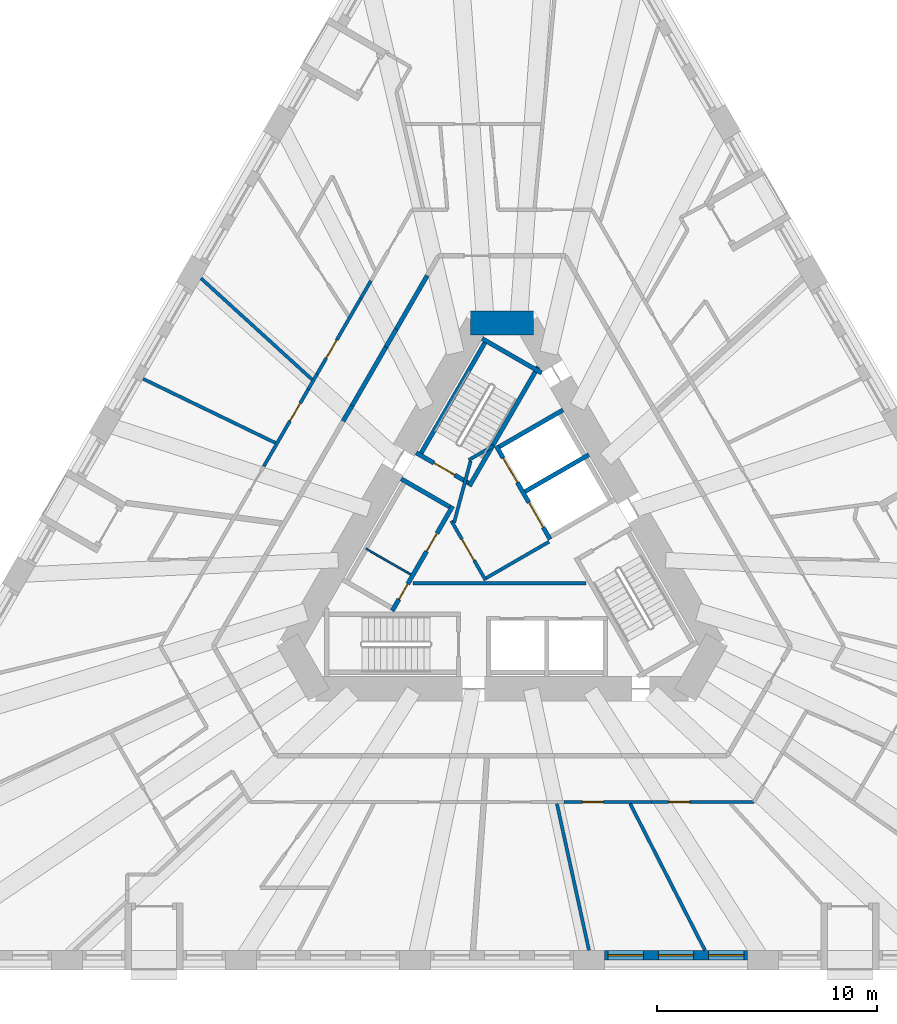
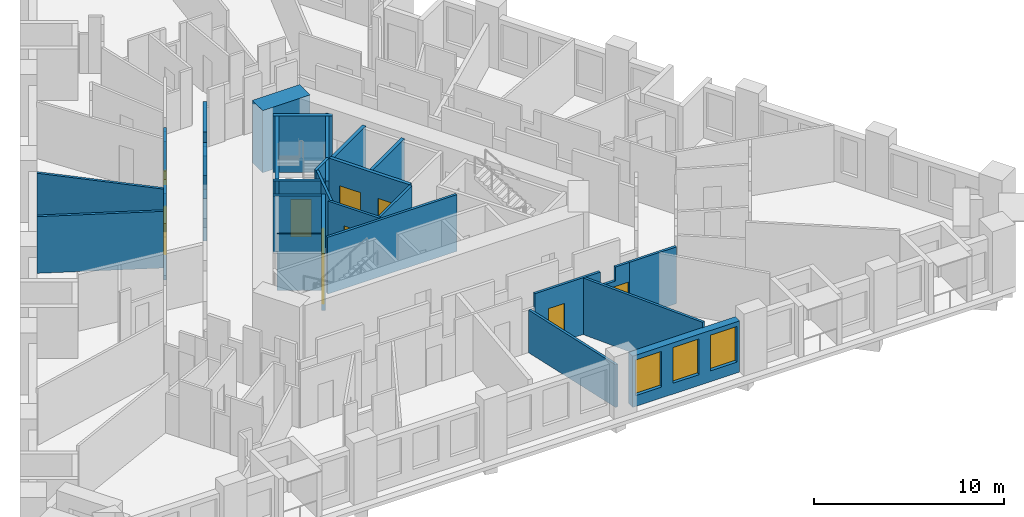
# One storey, part 5 of 14: 32 walls, 10 doors, 3 windows, 13 openings.
"""IFC4 building model written with IfcOpenShell, lengths in metres."""

from ifc_helpers import new_model, si_unit, direction, frame, frame_2d, origin, place, context, subcontext, project, spatial, polyline, rectangle, outline, extrude, material, layer, layer_set, type_object, element, fill, save


model = new_model("IFC4")

# Units and contexts
model_context = context("Model", 3, precision=1e-05, world=origin(), true_north=direction((0.0, 1.0)))
body_context = subcontext(model_context, "Body", "Model", "MODEL_VIEW")
ifc_project = project(units=[si_unit("LENGTHUNIT", "METRE"), si_unit("AREAUNIT", "SQUARE_METRE"), si_unit("VOLUMEUNIT", "CUBIC_METRE"), si_unit("PLANEANGLEUNIT", "RADIAN"), si_unit("MASSUNIT", "GRAM", prefix="KILO")], contexts=[model_context])

# Site, building, storey
site_placement = place(None, origin())
site = spatial("IfcSite", under=ifc_project, at=site_placement, CompositionType="ELEMENT")
building_placement = place(site_placement, origin())
building = spatial("IfcBuilding", under=site, at=building_placement, Name="Tramontana Tower", CompositionType="ELEMENT")
storey_placement = place(building_placement, frame((0.0, 0.0, 30.0)))
storey = spatial("IfcBuildingStorey", under=building, at=storey_placement, Name="L05", CompositionType="ELEMENT", Elevation=30.0)

# Walls
ifc_material_1 = material(Name="Concrete 70 MPa", Category="concrete")
ifc_layer_1 = layer(ifc_material_1, 1.10009765625)
ifc_layer_set_1 = layer_set([ifc_layer_1], Name="Core wall 1100 70 MPa")
wall_type_1 = type_object("IfcWallType", Name="Core wall 1100 70 MPa", PredefinedType="SHEAR", material=ifc_layer_set_1)
wall_1_placement = place(storey_placement, frame((1.443359375, 10.449951171875, 0.0), z_axis=(0.0, 0.0, 1.0), x_axis=(-1.0, 0.0, 0.0)))
element("IfcWall", 1, at=wall_1_placement, inside=storey, type_object=wall_type_1, Name="Core wall C0 L05", PredefinedType="SHEAR", context=body_context, shape_type="SweptSolid", body=[
    extrude(rectangle(XDim=2.88671875, YDim=1.10009765625, at=frame_2d((1.443359375, 0.0))), origin(), (0.0, 0.0, 1.0), 4.0),
])
ifc_material_2 = material(Name="Blockwork", Category="masonry")
ifc_layer_2 = layer(ifc_material_2, 0.199951171875)
ifc_layer_set_2 = layer_set([ifc_layer_2], Name="ENTRY WALL 200")
wall_type_2 = type_object("IfcWallType", Name="ENTRY WALL 200", PredefinedType="SOLIDWALL", material=ifc_layer_set_2)
wall_2_placement = place(storey_placement, frame((-7.228271484375, 5.98046875, 0.0), z_axis=(0.0, 0.0, 1.0), x_axis=(0.500118501653, 0.865956976012, 0.0)))
element("IfcWall", 2, at=wall_2_placement, inside=storey, type_object=wall_type_2, Name="Wall v01-ew4-6", PredefinedType="SOLIDWALL", context=body_context, shape_type="SweptSolid", body=[
    extrude(rectangle(XDim=0.818115234375, YDim=0.199951171875, at=frame_2d((0.4091796875, 0.0))), origin(), (0.0, 0.0, 1.0), 2.75),
])
wall_3_placement = place(storey_placement, frame((-6.819091796875, 6.68896484375, 0.0), z_axis=(0.0, 0.0, 1.0), x_axis=(0.499952348839, 0.866052913447, 0.0)))
element("IfcWall", 3, at=wall_3_placement, inside=storey, type_object=wall_type_2, Name="Wall v01-ew4-7", PredefinedType="SOLIDWALL", context=body_context, shape_type="SweptSolid", body=[
    extrude(rectangle(XDim=3.064208984375, YDim=0.199951171875, at=frame_2d((1.5322265625, 0.0))), origin(), (0.0, 0.0, 1.0), 3.64990234375),
])
wall_4_placement = place(storey_placement, frame((-5.287109375, 9.3427734375, 0.0), z_axis=(0.0, 0.0, 1.0), x_axis=(0.500174821557, 0.865924446982, 0.0)))
element("IfcWall", 4, at=wall_4_placement, inside=storey, type_object=wall_type_2, Name="Wall v01-ew4-8", PredefinedType="SOLIDWALL", context=body_context, shape_type="SweptSolid", body=[
    extrude(rectangle(XDim=0.949951171875, YDim=0.199951171875, at=frame_2d((0.47509765625, 0.0))), origin(), (0.0, 0.0, 1.0), 2.75),
])
wall_5_placement = place(storey_placement, frame((-4.81201171875, 10.165283203125, 0.0), z_axis=(0.0, 0.0, 1.0), x_axis=(0.500000186108, 0.866025296335, 0.0)))
element("IfcWall", 5, at=wall_5_placement, inside=storey, type_object=wall_type_2, Name="Wall v01-ew4-9", PredefinedType="SOLIDWALL", context=body_context, shape_type="SweptSolid", body=[
    extrude(rectangle(XDim=2.8154296875, YDim=0.199951171875, at=frame_2d((1.40771484375, 0.0))), origin(), (0.0, 0.0, 1.0), 3.64990234375),
])

# Wall, openings, windows
ifc_material_3 = material(Name="Precast concrete 60 MPa", Category="concrete")
ifc_layer_3 = layer(ifc_material_3, 0.449951171875)
ifc_layer_set_3 = layer_set([ifc_layer_3], Name="Precast concrete 60 MPa, 450 mm")
wall_type_3 = type_object("IfcWallType", Name="EW1 Stone-faced precast wall 450", PredefinedType="SOLIDWALL", material=ifc_layer_set_3)
wall_6_placement = place(storey_placement, frame((4.658935546875, -18.324951171875, 0.0), z_axis=(0.0, 0.0, 1.0), x_axis=(1.0, 0.0, 0.0)))
wall_6 = element("IfcWall", 6, at=wall_6_placement, inside=storey, type_object=wall_type_3, Name="External wall L05 face 1 bay 5", PredefinedType="SOLIDWALL", context=body_context, shape_type="SweptSolid", body=[
    extrude(rectangle(XDim=6.51806640625, YDim=0.449951171875, at=frame_2d((3.259033203125, 0.0))), origin(), (0.0, 0.0, 1.0), 3.300048828125),
])
opening_1_placement = place(wall_6_placement, frame((0.169677734375, 0.0, 0.699951171875)))
opening_1 = element("IfcOpeningElement", 7, at=opening_1_placement, cuts=wall_6, Name="Opening M1", PredefinedType="OPENING", context=body_context, shape_type="SweptSolid", body=[
    extrude(rectangle(XDim=1.60009765625, YDim=2.300048828125, at=frame_2d((0.800048828125, 1.14990234375))), frame((0.0, 0.23486328125, 0.0), z_axis=(0.0, -1.0, 0.0), x_axis=(1.0, 0.0, 0.0)), (0.0, 0.0, 1.0), 0.469970703125),
])
opening_2_placement = place(wall_6_placement, frame((2.458984375, 0.0, 0.699951171875)))
opening_2 = element("IfcOpeningElement", 8, at=opening_2_placement, cuts=wall_6, Name="Opening M1", PredefinedType="OPENING", context=body_context, shape_type="SweptSolid", body=[
    extrude(rectangle(XDim=1.60009765625, YDim=2.300048828125, at=frame_2d((0.800048828125, 1.14990234375))), frame((0.0, 0.23486328125, 0.0), z_axis=(0.0, -1.0, 0.0), x_axis=(1.0, 0.0, 0.0)), (0.0, 0.0, 1.0), 0.469970703125),
])
opening_3_placement = place(wall_6_placement, frame((4.748291015625, 0.0, 0.699951171875)))
opening_3 = element("IfcOpeningElement", 9, at=opening_3_placement, cuts=wall_6, Name="Opening M1", PredefinedType="OPENING", context=body_context, shape_type="SweptSolid", body=[
    extrude(rectangle(XDim=1.60009765625, YDim=2.300048828125, at=frame_2d((0.800048828125, 1.14990234375))), frame((0.0, 0.23486328125, 0.0), z_axis=(0.0, -1.0, 0.0), x_axis=(1.0, 0.0, 0.0)), (0.0, 0.0, 1.0), 0.469970703125),
])
ifc_material_4 = material(Name="Aluminum frame, double glazing unit", Category="aluminium")
window_type = type_object("IfcWindowType", Name="M1 Window 1.6 x 2.3", PartitioningType="SINGLE_PANEL", PredefinedType="WINDOW", material=ifc_material_4)
window_1_placement = place(opening_1_placement, origin())
window_1 = element("IfcWindow", 10, at=window_1_placement, inside=storey, type_object=window_type, Name="Window M1 L05 face 1 module 13", OverallHeight=2.300048828125, OverallWidth=1.60009765625, PartitioningType="SINGLE_PANEL", PredefinedType="WINDOW", context=body_context, shape_type="SweptSolid", body=[
    extrude(rectangle(XDim=1.60009765625, YDim=2.300048828125, at=frame_2d((0.800048828125, 1.14990234375))), frame((0.0, 0.030029296875, 0.0), z_axis=(0.0, -1.0, 0.0), x_axis=(1.0, 0.0, 0.0)), (0.0, 0.0, 1.0), 0.06005859375),
])
fill(opening_1, window_1)
window_2_placement = place(opening_2_placement, origin())
window_2 = element("IfcWindow", 11, at=window_2_placement, inside=storey, type_object=window_type, Name="Window M1 L05 face 1 module 14", OverallHeight=2.300048828125, OverallWidth=1.60009765625, PartitioningType="SINGLE_PANEL", PredefinedType="WINDOW", context=body_context, shape_type="SweptSolid", body=[
    extrude(rectangle(XDim=1.60009765625, YDim=2.300048828125, at=frame_2d((0.800048828125, 1.14990234375))), frame((0.0, 0.030029296875, 0.0), z_axis=(0.0, -1.0, 0.0), x_axis=(1.0, 0.0, 0.0)), (0.0, 0.0, 1.0), 0.06005859375),
])
fill(opening_2, window_2)
window_3_placement = place(opening_3_placement, origin())
window_3 = element("IfcWindow", 12, at=window_3_placement, inside=storey, type_object=window_type, Name="Window M1 L05 face 1 module 15", OverallHeight=2.300048828125, OverallWidth=1.60009765625, PartitioningType="SINGLE_PANEL", PredefinedType="WINDOW", context=body_context, shape_type="SweptSolid", body=[
    extrude(rectangle(XDim=1.60009765625, YDim=2.300048828125, at=frame_2d((0.800048828125, 1.14990234375))), frame((0.0, 0.030029296875, 0.0), z_axis=(0.0, -1.0, 0.0), x_axis=(1.0, 0.0, 0.0)), (0.0, 0.0, 1.0), 0.06005859375),
])
fill(opening_3, window_3)

# Wall, opening, door
ifc_material_5 = material(Name="Gypsum board partition")
ifc_layer_4 = layer(ifc_material_5, 0.14990234375)
ifc_layer_set_4 = layer_set([ifc_layer_4], Name="PARTITION 150")
wall_type_4 = type_object("IfcWallType", Name="PARTITION 150", PredefinedType="PARTITIONING", material=ifc_layer_set_4)
wall_7_placement = place(storey_placement, frame((-0.744140625, -1.260986328125, 0.0), z_axis=(0.0, 0.0, 1.0), x_axis=(-0.500004234368, 0.866022959057, 0.0)))
wall_7 = element("IfcWall", 13, at=wall_7_placement, inside=storey, type_object=wall_type_4, Name="Wall ff-front", PredefinedType="PARTITIONING", context=body_context, shape_type="SweptSolid", body=[
    extrude(rectangle(XDim=3.125, YDim=0.14990234375, at=frame_2d((1.5625, 0.0))), origin(), (0.0, 0.0, 1.0), 3.64990234375),
])
opening_4_placement = place(wall_7_placement, frame((1.050048828125, 0.0, 0.0)))
opening_4 = element("IfcOpeningElement", 14, at=opening_4_placement, cuts=wall_7, Name="Opening FD1", PredefinedType="OPENING", context=body_context, shape_type="SweptSolid", body=[
    extrude(rectangle(XDim=1.10009765625, YDim=2.39990234375, at=frame_2d((0.550048828125, 1.199951171875))), frame((0.0, 0.0849609375, 0.0), z_axis=(0.0, -1.0, 0.0), x_axis=(1.0, 0.0, 0.0)), (0.0, 0.0, 1.0), 0.169921875),
])
ifc_material_6 = material(Name="Painted timber", Category="wood")
door_type_1 = type_object("IfcDoorType", Name="DOOR ENTRY 1100", OperationType="SINGLE_SWING_LEFT", PredefinedType="DOOR", material=ifc_material_6)
door_1_placement = place(opening_4_placement, origin())
door_1 = element("IfcDoor", 15, at=door_1_placement, inside=storey, type_object=door_type_1, Name="Door FD1", OperationType="SINGLE_SWING_LEFT", OverallHeight=2.39990234375, OverallWidth=1.10009765625, PredefinedType="DOOR", context=body_context, shape_type="SweptSolid", body=[
    extrude(rectangle(XDim=1.10009765625, YDim=2.39990234375, at=frame_2d((0.550048828125, 1.199951171875))), frame((0.0, 0.02490234375, 0.0), z_axis=(0.0, -1.0, 0.0), x_axis=(1.0, 0.0, 0.0)), (0.0, 0.0, 1.0), 0.050048828125),
])
fill(opening_4, door_1)

# Walls
wall_8_placement = place(storey_placement, frame((-0.716796875, -1.15869140625, 0.0), z_axis=(0.0, 0.0, 1.0), x_axis=(0.866008176907, 0.50002983664, 0.0)))
element("IfcWall", 16, at=wall_8_placement, inside=storey, type_object=wall_type_4, Name="Wall ff-end0", PredefinedType="PARTITIONING", context=body_context, shape_type="SweptSolid", body=[
    extrude(rectangle(XDim=3.300048828125, YDim=0.14990234375, at=frame_2d((1.64990234375, 0.0))), origin(), (0.0, 0.0, 1.0), 3.64990234375),
])
wall_9_placement = place(storey_placement, frame((-2.177978515625, 1.372314453125, 0.0), z_axis=(0.0, 0.0, 1.0), x_axis=(0.258808958833, 0.96592852884, 0.0)))
element("IfcWall", 17, at=wall_9_placement, inside=storey, type_object=wall_type_4, Name="Wall ff-diag", PredefinedType="PARTITIONING", context=body_context, shape_type="SweptSolid", body=[
    extrude(rectangle(XDim=2.902587890625, YDim=0.14990234375, at=frame_2d((1.451171875, 0.0))), origin(), (0.0, 0.0, 1.0), 3.64990234375),
])
wall_10_placement = place(storey_placement, frame((-1.509765625, 4.21484375, 0.0), z_axis=(0.0, 0.0, 1.0), x_axis=(0.866085525409, 0.49989585183, 0.0)))
element("IfcWall", 18, at=wall_10_placement, inside=storey, type_object=wall_type_4, Name="Wall ff-end1", PredefinedType="PARTITIONING", context=body_context, shape_type="SweptSolid", body=[
    extrude(rectangle(XDim=1.300048828125, YDim=0.14990234375, at=frame_2d((0.64990234375, 0.0))), origin(), (0.0, 0.0, 1.0), 3.64990234375),
])
wall_11_placement = place(storey_placement, frame((-4.053466796875, -1.39990234375, 0.0), z_axis=(0.0, 0.0, 1.0), x_axis=(1.0, 0.0, 0.0)))
element("IfcWall", 19, at=wall_11_placement, inside=storey, type_object=wall_type_4, Name="Wall hub-cut1", PredefinedType="PARTITIONING", context=body_context, shape_type="SweptSolid", body=[
    extrude(rectangle(XDim=7.8759765625, YDim=0.14990234375, at=frame_2d((3.93798828125, 0.0))), origin(), (0.0, 0.0, 1.0), 3.64990234375),
])

# Wall, opening, door
wall_12_placement = place(storey_placement, frame((-10.842529296875, 3.92041015625, 0.0), z_axis=(0.0, 0.0, 1.0), x_axis=(0.500007556608, 0.866021040931, 0.0)))
wall_12 = element("IfcWall", 20, at=wall_12_placement, inside=storey, type_object=wall_type_4, Name="Wall v01-pw07-4", PredefinedType="PARTITIONING", context=body_context, shape_type="SweptSolid", body=[
    extrude(rectangle(XDim=4.05224609375, YDim=0.14990234375, at=frame_2d((2.026123046875, 0.0))), origin(), (0.0, 0.0, 1.0), 3.64990234375),
])
opening_5_placement = place(wall_12_placement, frame((2.378662109375, 0.0, 0.0)))
opening_5 = element("IfcOpeningElement", 21, at=opening_5_placement, cuts=wall_12, Name="Opening B0B-09", PredefinedType="OPENING", context=body_context, shape_type="SweptSolid", body=[
    extrude(rectangle(XDim=0.949951171875, YDim=2.39990234375, at=frame_2d((0.47509765625, 1.199951171875))), frame((0.0, 0.0849609375, 0.0), z_axis=(0.0, -1.0, 0.0), x_axis=(1.0, 0.0, 0.0)), (0.0, 0.0, 1.0), 0.169921875),
])
ifc_material_7 = material(Name="Painted timber", Category="wood")
door_type_2 = type_object("IfcDoorType", Name="DOOR ROOM 950", OperationType="SINGLE_SWING_LEFT", PredefinedType="DOOR", material=ifc_material_7)
door_2_placement = place(opening_5_placement, origin())
door_2 = element("IfcDoor", 22, at=door_2_placement, inside=storey, type_object=door_type_2, Name="Door B0B-09", OperationType="SINGLE_SWING_LEFT", OverallHeight=2.39990234375, OverallWidth=0.949951171875, PredefinedType="DOOR", context=body_context, shape_type="SweptSolid", body=[
    extrude(rectangle(XDim=0.949951171875, YDim=2.39990234375, at=frame_2d((0.47509765625, 1.199951171875))), frame((0.0, 0.02490234375, 0.0), z_axis=(0.0, -1.0, 0.0), x_axis=(1.0, 0.0, 0.0)), (0.0, 0.0, 1.0), 0.050048828125),
])
fill(opening_5, door_2)

# Wall
wall_13_placement = place(storey_placement, frame((-8.81640625, 7.4296875, 0.0), z_axis=(0.0, 0.0, 1.0), x_axis=(0.500015802937, 0.866016279763, 0.0)))
element("IfcWall", 23, at=wall_13_placement, inside=storey, type_object=wall_type_4, Name="Wall v01-pw07-5", PredefinedType="PARTITIONING", context=body_context, shape_type="SweptSolid", body=[
    extrude(rectangle(XDim=0.79248046875, YDim=0.14990234375, at=frame_2d((0.396240234375, 0.0))), origin(), (0.0, 0.0, 1.0), 2.75),
])

# Wall, opening, door
wall_14_placement = place(storey_placement, frame((-8.420166015625, 8.115966796875, 0.0), z_axis=(0.0, 0.0, 1.0), x_axis=(0.500010364181, 0.866019419939, 0.0)))
wall_14 = element("IfcWall", 24, at=wall_14_placement, inside=storey, type_object=wall_type_4, Name="Wall v01-pw07-6", PredefinedType="PARTITIONING", context=body_context, shape_type="SweptSolid", body=[
    extrude(rectangle(XDim=3.98828125, YDim=0.14990234375, at=frame_2d((1.994140625, 0.0))), origin(), (0.0, 0.0, 1.0), 3.64990234375),
])
opening_6_placement = place(wall_14_placement, frame((0.84423828125, 0.0, 0.0)))
opening_6 = element("IfcOpeningElement", 25, at=opening_6_placement, cuts=wall_14, Name="Opening B0B-08", PredefinedType="OPENING", context=body_context, shape_type="SweptSolid", body=[
    extrude(rectangle(XDim=0.949951171875, YDim=2.39990234375, at=frame_2d((0.47509765625, 1.199951171875))), frame((0.0, 0.0849609375, 0.0), z_axis=(0.0, -1.0, 0.0), x_axis=(1.0, 0.0, 0.0)), (0.0, 0.0, 1.0), 0.169921875),
])
door_3_placement = place(opening_6_placement, origin())
door_3 = element("IfcDoor", 26, at=door_3_placement, inside=storey, type_object=door_type_2, Name="Door B0B-08", OperationType="SINGLE_SWING_RIGHT", OverallHeight=2.39990234375, OverallWidth=0.949951171875, PredefinedType="DOOR", context=body_context, shape_type="SweptSolid", body=[
    extrude(rectangle(XDim=0.949951171875, YDim=2.39990234375, at=frame_2d((0.47509765625, 1.199951171875))), frame((0.0, 0.02490234375, 0.0), z_axis=(0.0, -1.0, 0.0), x_axis=(1.0, 0.0, 0.0)), (0.0, 0.0, 1.0), 0.050048828125),
])
fill(opening_6, door_3)

# Walls
wall_15_placement = place(storey_placement, frame((-6.426025390625, 11.56982421875, 0.0), z_axis=(0.0, 0.0, 1.0), x_axis=(0.499990325971, 0.866030989016, 0.0)))
element("IfcWall", 27, at=wall_15_placement, inside=storey, type_object=wall_type_4, Name="Wall v01-pw07-7", PredefinedType="PARTITIONING", context=body_context, shape_type="SweptSolid", body=[
    extrude(rectangle(XDim=0.92041015625, YDim=0.14990234375, at=frame_2d((0.460205078125, 0.0))), origin(), (0.0, 0.0, 1.0), 2.75),
])
wall_16_placement = place(storey_placement, frame((-10.310791015625, 4.9912109375, 0.0), z_axis=(0.0, 0.0, 1.0), x_axis=(-0.900095112933, 0.435693456084, 0.0)))
element("IfcWall", 28, at=wall_16_placement, inside=storey, type_object=wall_type_4, Name="Wall v01-pw15", PredefinedType="PARTITIONING", context=body_context, shape_type="SweptSolid", body=[
    extrude(rectangle(XDim=6.69287109375, YDim=0.14990234375, at=frame_2d((3.346435546875, 0.0))), origin(), (0.0, 0.0, 1.0), 3.64990234375),
])
for number, where, z_axis, x_axis, name in (
    (29, (-8.644775390625, 7.876708984375, 0.0), (0.0, 0.0, 1.0), (-0.739197523156, 0.673488694604, 0.0), "Wall v01-pw18-0"),
    (30, (3.958984375, -18.10009765625, 0.0), (0.0, 0.0, 1.0), (-0.213668107873, 0.976906310594, 0.0), "Wall v01-pw34-0"),
):
    element("IfcWall", number, at=place(storey_placement, frame(where, z_axis=z_axis, x_axis=x_axis)), inside=storey, type_object=wall_type_4, Name=name, PredefinedType="PARTITIONING", context=body_context, shape_type="SweptSolid", body=[
        extrude(rectangle(XDim=6.832763671875, YDim=0.14990234375, at=frame_2d((3.41650390625, 0.0))), origin(), (0.0, 0.0, 1.0), 2.75),
    ])
wall_17_placement = place(storey_placement, frame((9.237548828125, -18.10009765625, 0.0), z_axis=(0.0, 0.0, 1.0), x_axis=(-0.454586921445, 0.890702380625, 0.0)))
element("IfcWall", 31, at=wall_17_placement, inside=storey, type_object=wall_type_4, Name="Wall v01-pw40", PredefinedType="PARTITIONING", context=body_context, shape_type="SweptSolid", body=[
    extrude(rectangle(XDim=7.494140625, YDim=0.14990234375, at=frame_2d((3.7470703125, 0.0))), origin(), (0.0, 0.0, 1.0), 3.64990234375),
])
wall_18_placement = place(storey_placement, frame((11.46044921875, -11.35009765625, 0.0), z_axis=(0.0, 0.0, 1.0), x_axis=(-1.0, 0.0, 0.0)))
element("IfcWall", 32, at=wall_18_placement, inside=storey, type_object=wall_type_4, Name="Wall v01-pw45-0", PredefinedType="PARTITIONING", context=body_context, shape_type="SweptSolid", body=[
    extrude(rectangle(XDim=2.873779296875, YDim=0.14990234375, at=frame_2d((1.43701171875, 0.0))), origin(), (0.0, 0.0, 1.0), 3.64990234375),
])

# Wall, opening, door
wall_19_placement = place(storey_placement, frame((8.586669921875, -11.35009765625, 0.0), z_axis=(0.0, 0.0, 1.0), x_axis=(-1.0, 0.0, 0.0)))
wall_19 = element("IfcWall", 33, at=wall_19_placement, inside=storey, type_object=wall_type_4, Name="Wall v01-pw45-1", PredefinedType="PARTITIONING", context=body_context, shape_type="SweptSolid", body=[
    extrude(outline(polyline([(0.0, 0.0), (1.77978515625, 0.0), (1.77978515625, 2.75), (0.859619140625, 2.75), (0.859619140625, 3.64990234375), (0.0, 3.64990234375), (0.0, 0.0)])), frame((0.0, 0.074951171875, 0.0), z_axis=(0.0, -1.0, 0.0), x_axis=(1.0, 0.0, 0.0)), (0.0, 0.0, 1.0), 0.14990234375),
])
opening_7_placement = place(wall_19_placement, frame((0.050048828125, 0.0, 0.0)))
opening_7 = element("IfcOpeningElement", 34, at=opening_7_placement, cuts=wall_19, Name="Opening B0B-27", PredefinedType="OPENING", context=body_context, shape_type="SweptSolid", body=[
    extrude(rectangle(XDim=0.949951171875, YDim=2.39990234375, at=frame_2d((0.47509765625, 1.199951171875))), frame((0.0, 0.0849609375, 0.0), z_axis=(0.0, -1.0, 0.0), x_axis=(1.0, 0.0, 0.0)), (0.0, 0.0, 1.0), 0.169921875),
])
door_4_placement = place(opening_7_placement, origin())
door_4 = element("IfcDoor", 35, at=door_4_placement, inside=storey, type_object=door_type_2, Name="Door B0B-27", OperationType="SINGLE_SWING_LEFT", OverallHeight=2.39990234375, OverallWidth=0.949951171875, PredefinedType="DOOR", context=body_context, shape_type="SweptSolid", body=[
    extrude(rectangle(XDim=0.949951171875, YDim=2.39990234375, at=frame_2d((0.47509765625, 1.199951171875))), frame((0.0, 0.02490234375, 0.0), z_axis=(0.0, -1.0, 0.0), x_axis=(1.0, 0.0, 0.0)), (0.0, 0.0, 1.0), 0.050048828125),
])
fill(opening_7, door_4)

wall_20_placement = place(storey_placement, frame((6.806884765625, -11.35009765625, 0.0), z_axis=(0.0, 0.0, 1.0), x_axis=(-1.0, 0.0, 0.0)))
wall_20 = element("IfcWall", 36, at=wall_20_placement, inside=storey, type_object=wall_type_4, Name="Wall v01-pw45-2", PredefinedType="PARTITIONING", context=body_context, shape_type="SweptSolid", body=[
    extrude(rectangle(XDim=3.98828125, YDim=0.14990234375, at=frame_2d((1.994140625, 0.0))), origin(), (0.0, 0.0, 1.0), 3.64990234375),
])
opening_8_placement = place(wall_20_placement, frame((2.194091796875, 0.0, 0.0)))
opening_8 = element("IfcOpeningElement", 37, at=opening_8_placement, cuts=wall_20, Name="Opening B0B-28", PredefinedType="OPENING", context=body_context, shape_type="SweptSolid", body=[
    extrude(rectangle(XDim=0.949951171875, YDim=2.39990234375, at=frame_2d((0.47509765625, 1.199951171875))), frame((0.0, 0.0849609375, 0.0), z_axis=(0.0, -1.0, 0.0), x_axis=(1.0, 0.0, 0.0)), (0.0, 0.0, 1.0), 0.169921875),
])
door_5_placement = place(opening_8_placement, origin())
door_5 = element("IfcDoor", 38, at=door_5_placement, inside=storey, type_object=door_type_2, Name="Door B0B-28", OperationType="SINGLE_SWING_RIGHT", OverallHeight=2.39990234375, OverallWidth=0.949951171875, PredefinedType="DOOR", context=body_context, shape_type="SweptSolid", body=[
    extrude(rectangle(XDim=0.949951171875, YDim=2.39990234375, at=frame_2d((0.47509765625, 1.199951171875))), frame((0.0, 0.02490234375, 0.0), z_axis=(0.0, -1.0, 0.0), x_axis=(1.0, 0.0, 0.0)), (0.0, 0.0, 1.0), 0.050048828125),
])
fill(opening_8, door_5)

# Walls
ifc_material_8 = material(Name="Gypsum board partition")
ifc_layer_5 = layer(ifc_material_8, 0.080078125)
ifc_layer_set_5 = layer_set([ifc_layer_5], Name="PARTITION 80")
wall_type_5 = type_object("IfcWallType", Name="PARTITION 80", PredefinedType="PARTITIONING", material=ifc_layer_set_5)
wall_21_placement = place(storey_placement, frame((-4.15478515625, -0.99609375, 0.0), z_axis=(0.0, 0.0, 1.0), x_axis=(-0.866016039709, 0.500016218704, 0.0)))
element("IfcWall", 39, at=wall_21_placement, inside=storey, type_object=wall_type_5, Name="Wall row0-split", PredefinedType="PARTITIONING", context=body_context, shape_type="SweptSolid", body=[
    extrude(rectangle(XDim=2.35009765625, YDim=0.080078125, at=frame_2d((1.175048828125, 0.0))), origin(), (0.0, 0.0, 1.0), 3.64990234375),
])
ifc_material_9 = material(Name="Concrete 70 MPa", Category="concrete")
ifc_layer_6 = layer(ifc_material_9, 0.199951171875)
ifc_layer_set_6 = layer_set([ifc_layer_6], Name="Concrete 70 MPa, 200 mm")
wall_type_6 = type_object("IfcWallType", Name="RC SHAFT BACK WALL 200", PredefinedType="SOLIDWALL", material=ifc_layer_set_6)
wall_22_placement = place(storey_placement, frame((-0.679931640625, 9.722412109375, 0.0), z_axis=(0.0, 0.0, 1.0), x_axis=(-0.49998037582, -0.866036733513, 0.0)))
element("IfcWall", 40, at=wall_22_placement, inside=storey, type_object=wall_type_6, Name="Wall st1-back", PredefinedType="SOLIDWALL", context=body_context, shape_type="SweptSolid", body=[
    extrude(rectangle(XDim=6.199951171875, YDim=0.199951171875, at=frame_2d((3.10009765625, 0.0))), origin(), (0.0, 0.0, 1.0), 3.64990234375),
])
ifc_material_10 = material(Name="Concrete 70 MPa", Category="concrete")
ifc_layer_7 = layer(ifc_material_10, 0.199951171875)
ifc_layer_set_7 = layer_set([ifc_layer_7], Name="Concrete 70 MPa, 200 mm")
wall_type_7 = type_object("IfcWallType", Name="RC STAIR AND SHAFT WALL 200", PredefinedType="SOLIDWALL", material=ifc_layer_set_7)
wall_23_placement = place(storey_placement, frame((1.6455078125, 8.449951171875, 0.0), z_axis=(0.0, 0.0, 1.0), x_axis=(-0.500006002103, -0.866021938441, 0.0)))
element("IfcWall", 41, at=wall_23_placement, inside=storey, type_object=wall_type_7, Name="Wall st1-front", PredefinedType="SOLIDWALL", context=body_context, shape_type="SweptSolid", body=[
    extrude(rectangle(XDim=6.2607421875, YDim=0.199951171875, at=frame_2d((3.13037109375, 0.0))), origin(), (0.0, 0.0, 1.0), 3.64990234375),
])
wall_24_placement = place(storey_placement, frame((1.80615234375, 8.171875, 0.0), z_axis=(0.0, 0.0, 1.0), x_axis=(-0.866054327916, 0.499949898588, 0.0)))
element("IfcWall", 42, at=wall_24_placement, inside=storey, type_object=wall_type_7, Name="Wall st1-far", PredefinedType="SOLIDWALL", context=body_context, shape_type="SweptSolid", body=[
    extrude(rectangle(XDim=3.128173828125, YDim=0.199951171875, at=frame_2d((1.56396484375, 0.0))), origin(), (0.0, 0.0, 1.0), 3.64990234375),
])

# Wall, opening, door
wall_25_placement = place(storey_placement, frame((-1.521484375, 3.164794921875, 0.0), z_axis=(0.0, 0.0, 1.0), x_axis=(-0.866027397988, 0.499996545922, 0.0)))
wall_25 = element("IfcWall", 43, at=wall_25_placement, inside=storey, type_object=wall_type_7, Name="Wall st1-near", PredefinedType="SOLIDWALL", context=body_context, shape_type="SweptSolid", body=[
    extrude(rectangle(XDim=2.75, YDim=0.199951171875, at=frame_2d((1.375, 0.0))), origin(), (0.0, 0.0, 1.0), 3.64990234375),
])
opening_9_placement = place(wall_25_placement, frame((0.72509765625, 0.0, 0.0)))
opening_9 = element("IfcOpeningElement", 44, at=opening_9_placement, cuts=wall_25, Name="Opening SD1", PredefinedType="OPENING", context=body_context, shape_type="SweptSolid", body=[
    extrude(rectangle(XDim=1.10009765625, YDim=2.39990234375, at=frame_2d((0.550048828125, 1.199951171875))), frame((0.0, 0.10986328125, 0.0), z_axis=(0.0, -1.0, 0.0), x_axis=(1.0, 0.0, 0.0)), (0.0, 0.0, 1.0), 0.219970703125),
])
ifc_material_11 = material(Name="Painted steel", Category="steel")
door_type_3 = type_object("IfcDoorType", Name="STAIR DOOR 1100", OperationType="SINGLE_SWING_LEFT", PredefinedType="DOOR", material=ifc_material_11)
door_6_placement = place(opening_9_placement, origin())
door_6 = element("IfcDoor", 45, at=door_6_placement, inside=storey, type_object=door_type_3, Name="Door SD1", OperationType="SINGLE_SWING_RIGHT", OverallHeight=2.39990234375, OverallWidth=1.10009765625, PredefinedType="DOOR", context=body_context, shape_type="SweptSolid", body=[
    extrude(rectangle(XDim=1.10009765625, YDim=2.39990234375, at=frame_2d((0.550048828125, 1.199951171875))), frame((0.0, 0.02490234375, 0.0), z_axis=(0.0, -1.0, 0.0), x_axis=(1.0, 0.0, 0.0)), (0.0, 0.0, 1.0), 0.050048828125),
])
fill(opening_9, door_6)

# Wall, openings, doors
wall_26_placement = place(storey_placement, frame((-4.9931640625, -2.648193359375, 0.0), z_axis=(0.0, 0.0, 1.0), x_axis=(0.499996545922, 0.866027397988, 0.0)))
wall_26 = element("IfcWall", 46, at=wall_26_placement, inside=storey, type_object=wall_type_7, Name="Wall row0-front", PredefinedType="SOLIDWALL", context=body_context, shape_type="SweptSolid", body=[
    extrude(rectangle(XDim=5.5, YDim=0.199951171875, at=frame_2d((2.75, 0.0))), origin(), (0.0, 0.0, 1.0), 3.64990234375),
])
opening_10_placement = place(wall_26_placement, frame((3.1201171875, 0.0, 0.0)))
opening_10 = element("IfcOpeningElement", 47, at=opening_10_placement, cuts=wall_26, Name="Opening RD-0A", PredefinedType="OPENING", context=body_context, shape_type="SweptSolid", body=[
    extrude(rectangle(XDim=0.949951171875, YDim=2.39990234375, at=frame_2d((0.47509765625, 1.199951171875))), frame((0.0, 0.10986328125, 0.0), z_axis=(0.0, -1.0, 0.0), x_axis=(1.0, 0.0, 0.0)), (0.0, 0.0, 1.0), 0.219970703125),
])
opening_11_placement = place(wall_26_placement, frame((0.60498046875, 0.0, 0.0)))
opening_11 = element("IfcOpeningElement", 48, at=opening_11_placement, cuts=wall_26, Name="Opening RD-0B", PredefinedType="OPENING", context=body_context, shape_type="SweptSolid", body=[
    extrude(rectangle(XDim=0.800048828125, YDim=2.10009765625, at=frame_2d((0.39990234375, 1.050048828125))), frame((0.0, 0.10986328125, 0.0), z_axis=(0.0, -1.0, 0.0), x_axis=(1.0, 0.0, 0.0)), (0.0, 0.0, 1.0), 0.219970703125),
])
ifc_material_12 = material(Name="Painted steel", Category="steel")
door_type_4 = type_object("IfcDoorType", Name="CUPBOARD DOOR 800", OperationType="SINGLE_SWING_LEFT", PredefinedType="DOOR", material=ifc_material_12)
door_7_placement = place(opening_11_placement, origin())
door_7 = element("IfcDoor", 49, at=door_7_placement, inside=storey, type_object=door_type_4, Name="Door RD-0B", OperationType="SINGLE_SWING_RIGHT", OverallHeight=2.10009765625, OverallWidth=0.800048828125, PredefinedType="DOOR", context=body_context, shape_type="SweptSolid", body=[
    extrude(rectangle(XDim=0.800048828125, YDim=2.10009765625, at=frame_2d((0.39990234375, 1.050048828125))), frame((0.0, 0.02490234375, 0.0), z_axis=(0.0, -1.0, 0.0), x_axis=(1.0, 0.0, 0.0)), (0.0, 0.0, 1.0), 0.050048828125),
])
fill(opening_11, door_7)
door_8_placement = place(opening_10_placement, origin())
door_8 = element("IfcDoor", 50, at=door_8_placement, inside=storey, type_object=door_type_2, Name="Door RD-0A", OperationType="SINGLE_SWING_LEFT", OverallHeight=2.39990234375, OverallWidth=0.949951171875, PredefinedType="DOOR", context=body_context, shape_type="SweptSolid", body=[
    extrude(rectangle(XDim=0.949951171875, YDim=2.39990234375, at=frame_2d((0.47509765625, 1.199951171875))), frame((0.0, 0.02490234375, 0.0), z_axis=(0.0, -1.0, 0.0), x_axis=(1.0, 0.0, 0.0)), (0.0, 0.0, 1.0), 0.050048828125),
])
fill(opening_10, door_8)

# Wall
wall_27_placement = place(storey_placement, frame((-2.379638671875, 2.078369140625, 0.0), z_axis=(0.0, 0.0, 1.0), x_axis=(-0.866054858364, 0.499948979701, 0.0)))
element("IfcWall", 51, at=wall_27_placement, inside=storey, type_object=wall_type_7, Name="Wall row0-side0", PredefinedType="SOLIDWALL", context=body_context, shape_type="SweptSolid", body=[
    extrude(rectangle(XDim=2.550048828125, YDim=0.199951171875, at=frame_2d((1.27490234375, 0.0))), origin(), (0.0, 0.0, 1.0), 3.64990234375),
])

# Wall, openings, doors
wall_28_placement = place(storey_placement, frame((2.190185546875, 0.6064453125, 0.0), z_axis=(0.0, 0.0, 1.0), x_axis=(-0.500002801628, 0.866023786258, 0.0)))
wall_28 = element("IfcWall", 52, at=wall_28_placement, inside=storey, type_object=wall_type_7, Name="Wall row2-front", PredefinedType="SOLIDWALL", context=body_context, shape_type="SweptSolid", body=[
    extrude(rectangle(XDim=4.89990234375, YDim=0.199951171875, at=frame_2d((2.449951171875, 0.0))), origin(), (0.0, 0.0, 1.0), 3.64990234375),
])
opening_12_placement = place(wall_28_placement, frame((0.625, 0.0, 0.0)))
opening_12 = element("IfcOpeningElement", 53, at=opening_12_placement, cuts=wall_28, Name="Opening LD-F1", PredefinedType="OPENING", context=body_context, shape_type="SweptSolid", body=[
    extrude(rectangle(XDim=1.300048828125, YDim=2.10009765625, at=frame_2d((0.64990234375, 1.050048828125))), frame((0.0, 0.10986328125, 0.0), z_axis=(0.0, -1.0, 0.0), x_axis=(1.0, 0.0, 0.0)), (0.0, 0.0, 1.0), 0.219970703125),
])
opening_13_placement = place(wall_28_placement, frame((2.97509765625, 0.0, 0.0)))
opening_13 = element("IfcOpeningElement", 54, at=opening_13_placement, cuts=wall_28, Name="Opening LD-F2", PredefinedType="OPENING", context=body_context, shape_type="SweptSolid", body=[
    extrude(rectangle(XDim=1.300048828125, YDim=2.10009765625, at=frame_2d((0.64990234375, 1.050048828125))), frame((0.0, 0.10986328125, 0.0), z_axis=(0.0, -1.0, 0.0), x_axis=(1.0, 0.0, 0.0)), (0.0, 0.0, 1.0), 0.219970703125),
])
ifc_material_13 = material(Name="Brushed steel", Category="steel")
door_type_5 = type_object("IfcDoorType", Name="LANDING DOOR 1300", OperationType="SINGLE_SWING_LEFT", PredefinedType="DOOR", material=ifc_material_13)
door_9_placement = place(opening_12_placement, origin())
door_9 = element("IfcDoor", 55, at=door_9_placement, inside=storey, type_object=door_type_5, Name="Door LD-F1", OperationType="SLIDING_TO_LEFT", OverallHeight=2.10009765625, OverallWidth=1.300048828125, PredefinedType="DOOR", context=body_context, shape_type="SweptSolid", body=[
    extrude(rectangle(XDim=1.300048828125, YDim=2.10009765625, at=frame_2d((0.64990234375, 1.050048828125))), frame((0.0, 0.02490234375, 0.0), z_axis=(0.0, -1.0, 0.0), x_axis=(1.0, 0.0, 0.0)), (0.0, 0.0, 1.0), 0.050048828125),
])
fill(opening_12, door_9)
door_10_placement = place(opening_13_placement, origin())
door_10 = element("IfcDoor", 56, at=door_10_placement, inside=storey, type_object=door_type_5, Name="Door LD-F2", OperationType="SLIDING_TO_RIGHT", OverallHeight=2.10009765625, OverallWidth=1.300048828125, PredefinedType="DOOR", context=body_context, shape_type="SweptSolid", body=[
    extrude(rectangle(XDim=1.300048828125, YDim=2.10009765625, at=frame_2d((0.64990234375, 1.050048828125))), frame((0.0, 0.02490234375, 0.0), z_axis=(0.0, -1.0, 0.0), x_axis=(1.0, 0.0, 0.0)), (0.0, 0.0, 1.0), 0.050048828125),
])
fill(opening_13, door_10)

# Walls
wall_29_placement = place(storey_placement, frame((1.0517578125, 2.778076171875, 0.0), z_axis=(0.0, 0.0, 1.0), x_axis=(0.866032680314, 0.499987396469, 0.0)))
element("IfcWall", 57, at=wall_29_placement, inside=storey, type_object=wall_type_7, Name="Wall row2-side1", PredefinedType="SOLIDWALL", context=body_context, shape_type="SweptSolid", body=[
    extrude(rectangle(XDim=3.35009765625, YDim=0.199951171875, at=frame_2d((1.675048828125, 0.0))), origin(), (0.0, 0.0, 1.0), 3.64990234375),
])
wall_30_placement = place(storey_placement, frame((-0.123046875, 4.813232421875, 0.0), z_axis=(0.0, 0.0, 1.0), x_axis=(0.866014461049, 0.500018952895, 0.0)))
element("IfcWall", 58, at=wall_30_placement, inside=storey, type_object=wall_type_7, Name="Wall row2-side2", PredefinedType="SOLIDWALL", context=body_context, shape_type="SweptSolid", body=[
    extrude(rectangle(XDim=3.349853515625, YDim=0.199951171875, at=frame_2d((1.6748046875, 0.0))), origin(), (0.0, 0.0, 1.0), 3.64990234375),
])

save(model, "model.ifc")
